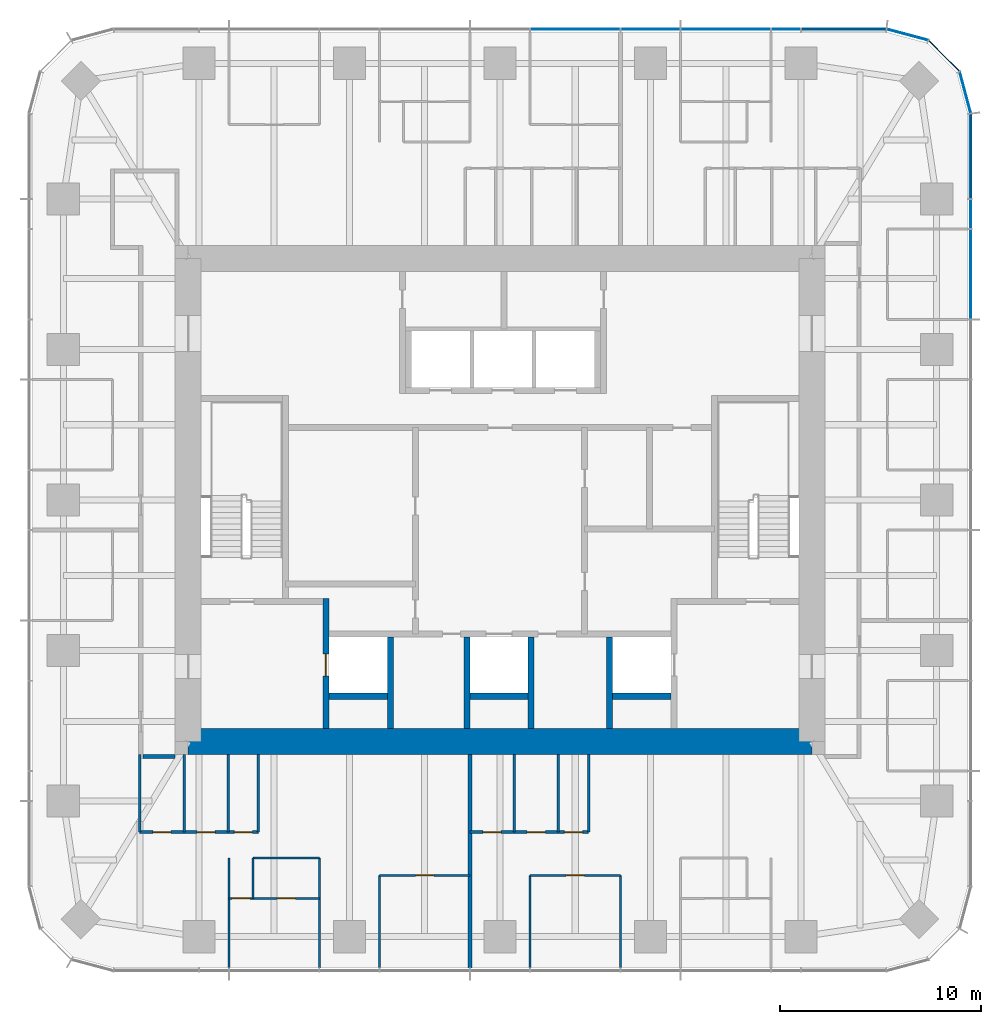
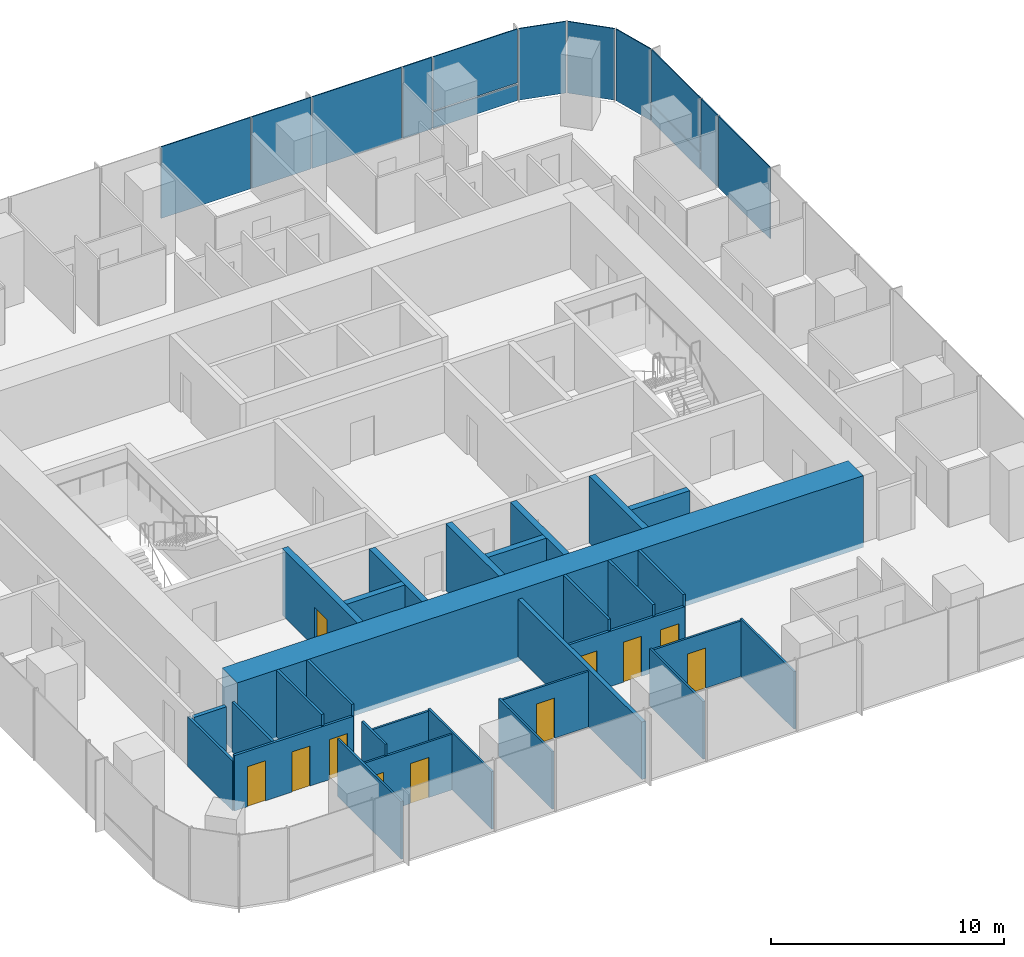
# One storey, part 8 of 12: 30 walls, 13 plates, 11 doors, 11 openings, 3 elements without a shape of their own.
"""IFC4 building model written with IfcOpenShell, lengths in metres."""

from ifc_helpers import new_model, si_unit, direction, frame, frame_2d, origin, origin_2d, place, context, subcontext, project, spatial, rectangle, extrude, material, layer, layer_set, type_object, element, fill, aggregate, save


model = new_model("IFC4")

# Units and contexts
model_context = context("Model", 3, precision=1e-05, world=origin(), true_north=direction((0.0, 1.0)))
body_context = subcontext(model_context, "Body", "Model", "MODEL_VIEW")
ifc_project = project(units=[si_unit("LENGTHUNIT", "METRE"), si_unit("AREAUNIT", "SQUARE_METRE"), si_unit("VOLUMEUNIT", "CUBIC_METRE"), si_unit("PLANEANGLEUNIT", "RADIAN"), si_unit("MASSUNIT", "GRAM", prefix="KILO")], contexts=[model_context])

# Site, building, storey
site_placement = place(None, origin())
site = spatial("IfcSite", under=ifc_project, at=site_placement, CompositionType="ELEMENT")
building_placement = place(site_placement, origin())
building = spatial("IfcBuilding", under=site, at=building_placement, Name="Khuree Lantern Residences", CompositionType="ELEMENT")
storey_placement = place(building_placement, frame((0.0, 0.0, 327.0)))
storey = spatial("IfcBuildingStorey", under=building, at=storey_placement, Name="L82", CompositionType="ELEMENT", Elevation=327.0)

# Curtain wall, plates
ifc_material_1 = material(Name="Bronze anodised aluminium", Category="aluminium")
curtain_wall_type_1 = type_object("IfcCurtainWallType", Name="CW-T2 TOWER CORNER CURTAIN WALL", PredefinedType="USERDEFINED", material=ifc_material_1)
curtain_wall_1_placement = place(storey_placement, origin())
curtain_wall_1 = element("IfcCurtainWall", 1, at=curtain_wall_1_placement, inside=storey, type_object=curtain_wall_type_1, Name="L82 NORTH-EAST CORNER CURTAIN WALL", ObjectType="Faceted corner curtain wall", PredefinedType="USERDEFINED")
ifc_material_2 = material(Name="Bronze tinted triple glazing", Category="glass")
ifc_layer_1 = layer(ifc_material_2, 0.048095703125)
ifc_layer_set_1 = layer_set([ifc_layer_1], Name="FACET PANEL P4")
plate_type_1 = type_object("IfcPlateType", Name="FACET PANEL P4", PredefinedType="CURTAIN_PANEL", material=ifc_layer_set_1)
plate_1_placement = place(storey_placement, frame((23.119140625, 20.248046875, 0.0), z_axis=(0.0, 0.0, 1.0), x_axis=(-0.2588189146, 0.965925861257, 0.0)))
plate_1 = element("IfcPlate", 2, at=plate_1_placement, type_object=plate_type_1, Name="L82 NORTH-EAST CORNER PANEL 15.1", PredefinedType="CURTAIN_PANEL", context=body_context, shape_type="SweptSolid", body=[
    extrude(rectangle(XDim=2.09814453125, YDim=0.048095703125, at=origin_2d()), origin(), (0.0, 0.0, 1.0), 3.75),
])
plate_2_placement = place(storey_placement, frame((22.068603515625, 22.068603515625, 0.0), z_axis=(0.0, 0.0, 1.0), x_axis=(-0.707106781187, 0.707106781187, 0.0)))
plate_2 = element("IfcPlate", 3, at=plate_2_placement, type_object=plate_type_1, Name="L82 NORTH-EAST CORNER PANEL 16.1", PredefinedType="CURTAIN_PANEL", context=body_context, shape_type="SweptSolid", body=[
    extrude(rectangle(XDim=2.093994140625, YDim=0.048095703125, at=origin_2d()), origin(), (0.0, 0.0, 1.0), 3.75),
])
plate_3_placement = place(storey_placement, frame((20.248046875, 23.119140625, 0.0), z_axis=(0.0, 0.0, 1.0), x_axis=(-0.965925861257, 0.2588189146, 0.0)))
plate_3 = element("IfcPlate", 4, at=plate_3_placement, type_object=plate_type_1, Name="L82 NORTH-EAST CORNER PANEL 17.1", PredefinedType="CURTAIN_PANEL", context=body_context, shape_type="SweptSolid", body=[
    extrude(rectangle(XDim=2.09814453125, YDim=0.048095703125, at=origin_2d()), origin(), (0.0, 0.0, 1.0), 3.75),
])
aggregate(curtain_wall_1, [plate_1, plate_2, plate_3])

# Curtain wall, plate
curtain_wall_type_2 = type_object("IfcCurtainWallType", Name="CW-T1 TOWER FACE CURTAIN WALL", PredefinedType="USERDEFINED", material=ifc_material_1)
curtain_wall_2_placement = place(storey_placement, origin())
curtain_wall_2 = element("IfcCurtainWall", 5, at=curtain_wall_2_placement, inside=storey, type_object=curtain_wall_type_2, Name="L82 EAST FACE CURTAIN WALL", ObjectType="Stick-built curtain wall", PredefinedType="USERDEFINED")
ifc_material_3 = material(Name="Bronze tinted triple glazing with a ceramic-fritted spandrel band", Category="glass")
ifc_layer_2 = layer(ifc_material_3, 0.048095703125)
ifc_layer_set_2 = layer_set([ifc_layer_2], Name="FIXED LIGHT PANEL P11")
plate_type_2 = type_object("IfcPlateType", Name="FIXED LIGHT PANEL P11", PredefinedType="CURTAIN_PANEL", material=ifc_layer_set_2)
plate_4_placement = place(storey_placement, frame((23.39990234375, 11.219970703125, 0.0), z_axis=(0.0, 0.0, 1.0), x_axis=(0.0, 1.0, 0.0)))
plate_4 = element("IfcPlate", 6, at=plate_4_placement, type_object=plate_type_2, Name="L82 EAST FACE PANEL 12.1", PredefinedType="CURTAIN_PANEL", context=body_context, shape_type="SweptSolid", body=[
    extrude(rectangle(XDim=4.423095703125, YDim=0.048095703125, at=origin_2d()), origin(), (0.0, 0.0, 1.0), 3.75),
])

# Curtain wall, plates
curtain_wall_3_placement = place(storey_placement, origin())
curtain_wall_3 = element("IfcCurtainWall", 7, at=curtain_wall_3_placement, inside=storey, type_object=curtain_wall_type_2, Name="L82 NORTH FACE CURTAIN WALL", ObjectType="Stick-built curtain wall", PredefinedType="USERDEFINED")
plate_5_placement = place(storey_placement, frame((11.219970703125, 23.39990234375, 0.0), z_axis=(0.0, 0.0, 1.0), x_axis=(-1.0, 0.0, 0.0)))
plate_5 = element("IfcPlate", 8, at=plate_5_placement, type_object=plate_type_2, Name="L82 NORTH FACE PANEL 20.1", PredefinedType="CURTAIN_PANEL", context=body_context, shape_type="SweptSolid", body=[
    extrude(rectangle(XDim=4.423095703125, YDim=0.048095703125, at=origin_2d()), origin(), (0.0, 0.0, 1.0), 3.75),
])
plate_6_placement = place(storey_placement, frame((3.739990234375, 23.39990234375, 0.0), z_axis=(0.0, 0.0, 1.0), x_axis=(-1.0, 0.0, 0.0)))
plate_6 = element("IfcPlate", 9, at=plate_6_placement, type_object=plate_type_2, Name="L82 NORTH FACE PANEL 22.1", PredefinedType="CURTAIN_PANEL", context=body_context, shape_type="SweptSolid", body=[
    extrude(rectangle(XDim=4.423095703125, YDim=0.048095703125, at=origin_2d()), origin(), (0.0, 0.0, 1.0), 3.75),
])
ifc_material_4 = material(Name="Bronze tinted triple glazing, two aluminium-framed sashes in one frame", Category="aluminium")
ifc_layer_3 = layer(ifc_material_4, 0.048095703125)
ifc_layer_set_3 = layer_set([ifc_layer_3], Name="SASH PAIR PANEL P12")
plate_type_3 = type_object("IfcPlateType", Name="SASH PAIR PANEL P12", PredefinedType="CURTAIN_PANEL", material=ifc_layer_set_3)
plate_7_placement = place(storey_placement, frame((7.47998046875, 23.39990234375, 0.0), z_axis=(0.0, 0.0, 1.0), x_axis=(-1.0, 0.0, 0.0)))
plate_7 = element("IfcPlate", 10, at=plate_7_placement, type_object=plate_type_3, Name="L82 NORTH FACE PANEL 21.1", PredefinedType="CURTAIN_PANEL", context=body_context, shape_type="SweptSolid", body=[
    extrude(rectangle(XDim=2.927001953125, YDim=0.048095703125, at=origin_2d()), origin(), (0.0, 0.0, 1.0), 3.75),
])

# Plate
ifc_material_5 = material(Name="Bronze tinted triple glazing, aluminium-framed sash", Category="aluminium")
ifc_layer_4 = layer(ifc_material_5, 0.048095703125)
ifc_layer_set_4 = layer_set([ifc_layer_4], Name="SASH PANEL P3")
plate_type_4 = type_object("IfcPlateType", Name="SASH PANEL P3", PredefinedType="CURTAIN_PANEL", material=ifc_layer_set_4)
plate_8_placement = place(storey_placement, frame((23.39990234375, 14.2119140625, 0.0), z_axis=(0.0, 0.0, 1.0), x_axis=(0.0, 1.0, 0.0)))
plate_8 = element("IfcPlate", 11, at=plate_8_placement, type_object=plate_type_4, Name="L82 EAST FACE PANEL 13.1", PredefinedType="CURTAIN_PANEL", context=body_context, shape_type="SweptSolid", body=[
    extrude(rectangle(XDim=1.430908203125, YDim=0.048095703125, at=origin_2d()), origin(), (0.0, 0.0, 1.0), 3.75),
])

plate_9_placement = place(storey_placement, frame((14.2119140625, 23.39990234375, 0.0), z_axis=(0.0, 0.0, 1.0), x_axis=(-1.0, 0.0, 0.0)))
plate_9 = element("IfcPlate", 12, at=plate_9_placement, type_object=plate_type_4, Name="L82 NORTH FACE PANEL 19.1", PredefinedType="CURTAIN_PANEL", context=body_context, shape_type="SweptSolid", body=[
    extrude(rectangle(XDim=1.430908203125, YDim=0.048095703125, at=origin_2d()), origin(), (0.0, 0.0, 1.0), 3.75),
])

ifc_material_6 = material(Name="Bronze anodised aluminium insulated spandrel", Category="aluminium")
ifc_layer_5 = layer(ifc_material_6, 0.06005859375)
ifc_layer_set_5 = layer_set([ifc_layer_5], Name="SPANDREL PANEL P2")
plate_type_5 = type_object("IfcPlateType", Name="SPANDREL PANEL P2", PredefinedType="CURTAIN_PANEL", material=ifc_layer_set_5)
plate_10_placement = place(storey_placement, frame((23.39990234375, 17.077880859375, 0.0), z_axis=(0.0, 0.0, 1.0), x_axis=(0.0, 1.0, 0.0)))
plate_10 = element("IfcPlate", 13, at=plate_10_placement, type_object=plate_type_5, Name="L82 EAST FACE PANEL 14.1", PredefinedType="CURTAIN_PANEL", context=body_context, shape_type="SweptSolid", body=[
    extrude(rectangle(XDim=4.170654296875, YDim=0.06005859375, at=origin_2d()), origin(), (0.0, 0.0, 1.0), 0.867431640625),
])

plate_11_placement = place(storey_placement, frame((17.077880859375, 23.39990234375, 0.0), z_axis=(0.0, 0.0, 1.0), x_axis=(-1.0, 0.0, 0.0)))
plate_11 = element("IfcPlate", 14, at=plate_11_placement, type_object=plate_type_5, Name="L82 NORTH FACE PANEL 18.1", PredefinedType="CURTAIN_PANEL", context=body_context, shape_type="SweptSolid", body=[
    extrude(rectangle(XDim=4.170654296875, YDim=0.06005859375, at=origin_2d()), origin(), (0.0, 0.0, 1.0), 0.867431640625),
])

ifc_layer_6 = layer(ifc_material_2, 0.048095703125)
ifc_layer_set_6 = layer_set([ifc_layer_6], Name="VISION PANEL P1")
plate_type_6 = type_object("IfcPlateType", Name="VISION PANEL P1", PredefinedType="CURTAIN_PANEL", material=ifc_layer_set_6)
plate_12_placement = place(storey_placement, frame((23.39990234375, 17.078369140625, 0.9326171875), z_axis=(0.0, 0.0, 1.0), x_axis=(0.0, 1.0, 0.0)))
plate_12 = element("IfcPlate", 15, at=plate_12_placement, type_object=plate_type_6, Name="L82 EAST FACE PANEL 14.2", PredefinedType="CURTAIN_PANEL", context=body_context, shape_type="SweptSolid", body=[
    extrude(rectangle(XDim=4.171630859375, YDim=0.048095703125, at=origin_2d()), origin(), (0.0, 0.0, 1.0), 2.8173828125),
])

aggregate(curtain_wall_2, [plate_4, plate_8, plate_10, plate_12])

plate_13_placement = place(storey_placement, frame((17.078369140625, 23.39990234375, 0.9326171875), z_axis=(0.0, 0.0, 1.0), x_axis=(-1.0, 0.0, 0.0)))
plate_13 = element("IfcPlate", 16, at=plate_13_placement, type_object=plate_type_6, Name="L82 NORTH FACE PANEL 18.2", PredefinedType="CURTAIN_PANEL", context=body_context, shape_type="SweptSolid", body=[
    extrude(rectangle(XDim=4.171630859375, YDim=0.048095703125, at=origin_2d()), origin(), (0.0, 0.0, 1.0), 2.8173828125),
])

aggregate(curtain_wall_3, [plate_11, plate_13, plate_9, plate_5, plate_7, plate_6])

# Wall, openings, doors
ifc_material_7 = material(Name="Moisture-resistant gypsum board on steel studs", Category="steel")
ifc_layer_7 = layer(ifc_material_7, 0.125)
ifc_layer_set_7 = layer_set([ifc_layer_7], Name="BATHROOM WALL BTW125")
wall_type_1 = type_object("IfcWallType", Name="BATHROOM WALL BTW125", PredefinedType="PARTITIONING", material=ifc_layer_set_7)
wall_1_placement = place(storey_placement, frame((-17.89990234375, -16.496337890625, 0.0), z_axis=(0.0, 0.0, 1.0), x_axis=(1.0, 0.0, 0.0)))
wall_1 = element("IfcWall", 17, at=wall_1_placement, inside=storey, type_object=wall_type_1, Name="L82 BATHROOM WALL 03", PredefinedType="PARTITIONING", context=body_context, shape_type="SweptSolid", body=[
    extrude(rectangle(XDim=5.89990234375, YDim=0.125, at=frame_2d((2.949951171875, 0.0))), origin(), (0.0, 0.0, 1.0), 2.89990234375),
])
opening_1_placement = place(wall_1_placement, frame((0.64990234375, 0.0, 0.0)))
opening_1 = element("IfcOpeningElement", 18, at=opening_1_placement, cuts=wall_1, Name="Opening 82-047", PredefinedType="OPENING", context=body_context, shape_type="SweptSolid", body=[
    extrude(rectangle(XDim=0.89990234375, YDim=2.10009765625, at=frame_2d((0.449951171875, 1.050048828125))), frame((0.0, 0.072509765625, 0.0), z_axis=(0.0, -1.0, 0.0), x_axis=(1.0, 0.0, 0.0)), (0.0, 0.0, 1.0), 0.14501953125),
])
opening_2_placement = place(wall_1_placement, frame((2.85009765625, 0.0, 0.0)))
opening_2 = element("IfcOpeningElement", 19, at=opening_2_placement, cuts=wall_1, Name="Opening 82-048", PredefinedType="OPENING", context=body_context, shape_type="SweptSolid", body=[
    extrude(rectangle(XDim=0.89990234375, YDim=2.10009765625, at=frame_2d((0.449951171875, 1.050048828125))), frame((0.0, 0.072509765625, 0.0), z_axis=(0.0, -1.0, 0.0), x_axis=(1.0, 0.0, 0.0)), (0.0, 0.0, 1.0), 0.14501953125),
])
opening_3_placement = place(wall_1_placement, frame((4.699951171875, 0.0, 0.0)))
opening_3 = element("IfcOpeningElement", 20, at=opening_3_placement, cuts=wall_1, Name="Opening 82-049", PredefinedType="OPENING", context=body_context, shape_type="SweptSolid", body=[
    extrude(rectangle(XDim=0.89990234375, YDim=2.10009765625, at=frame_2d((0.449951171875, 1.050048828125))), frame((0.0, 0.072509765625, 0.0), z_axis=(0.0, -1.0, 0.0), x_axis=(1.0, 0.0, 0.0)), (0.0, 0.0, 1.0), 0.14501953125),
])
ifc_material_8 = material(Name="Timber door leaf in hardwood frame", Category="wood")
door_type_1 = type_object("IfcDoorType", Name="BATHROOM DOOR 900X2100", OperationType="SINGLE_SWING_LEFT", PredefinedType="DOOR", material=ifc_material_8)
door_1_placement = place(opening_1_placement, origin())
door_1 = element("IfcDoor", 21, at=door_1_placement, inside=storey, type_object=door_type_1, Name="Bathroom door 82-047", OperationType="SINGLE_SWING_LEFT", OverallHeight=2.10009765625, OverallWidth=0.89990234375, PredefinedType="DOOR", context=body_context, shape_type="SweptSolid", body=[
    extrude(rectangle(XDim=0.89990234375, YDim=2.10009765625, at=frame_2d((0.449951171875, 1.050048828125))), frame((0.0, 0.02490234375, 0.0), z_axis=(0.0, -1.0, 0.0), x_axis=(1.0, 0.0, 0.0)), (0.0, 0.0, 1.0), 0.050048828125),
])
fill(opening_1, door_1)
door_2_placement = place(opening_2_placement, origin())
door_2 = element("IfcDoor", 22, at=door_2_placement, inside=storey, type_object=door_type_1, Name="Bathroom door 82-048", OperationType="SINGLE_SWING_LEFT", OverallHeight=2.10009765625, OverallWidth=0.89990234375, PredefinedType="DOOR", context=body_context, shape_type="SweptSolid", body=[
    extrude(rectangle(XDim=0.89990234375, YDim=2.10009765625, at=frame_2d((0.449951171875, 1.050048828125))), frame((0.0, 0.02490234375, 0.0), z_axis=(0.0, -1.0, 0.0), x_axis=(1.0, 0.0, 0.0)), (0.0, 0.0, 1.0), 0.050048828125),
])
fill(opening_2, door_2)
door_type_2 = type_object("IfcDoorType", Name="WC DOOR 900X2100", OperationType="SINGLE_SWING_LEFT", PredefinedType="DOOR", material=ifc_material_8)
door_3_placement = place(opening_3_placement, origin())
door_3 = element("IfcDoor", 23, at=door_3_placement, inside=storey, type_object=door_type_2, Name="WC door 82-049", OperationType="SINGLE_SWING_LEFT", OverallHeight=2.10009765625, OverallWidth=0.89990234375, PredefinedType="DOOR", context=body_context, shape_type="SweptSolid", body=[
    extrude(rectangle(XDim=0.89990234375, YDim=2.10009765625, at=frame_2d((0.449951171875, 1.050048828125))), frame((0.0, 0.02490234375, 0.0), z_axis=(0.0, -1.0, 0.0), x_axis=(1.0, 0.0, 0.0)), (0.0, 0.0, 1.0), 0.050048828125),
])
fill(opening_3, door_3)

# Walls
for number, where, z_axis, x_axis, name in (
    (24, (-17.89990234375, -12.64990234375, 0.0), (0.0, 0.0, 1.0), (0.0, -1.0, 0.0), "L82 BATHROOM WALL 03"),
    (25, (-15.699951171875, -12.64990234375, 0.0), (0.0, 0.0, 1.0), (0.0, -1.0, 0.0), "L82 BATHROOM WALL 03"),
):
    element("IfcWall", number, at=place(storey_placement, frame(where, z_axis=z_axis, x_axis=x_axis)), inside=storey, type_object=wall_type_1, Name=name, PredefinedType="PARTITIONING", context=body_context, shape_type="SweptSolid", body=[
        extrude(rectangle(XDim=3.846435546875, YDim=0.125, at=frame_2d((1.92333984375, 0.0))), origin(), (0.0, 0.0, 1.0), 2.60009765625),
    ])
for number, where, z_axis, x_axis, name in (
    (26, (-13.5, -12.64990234375, 0.0), (0.0, 0.0, 1.0), (0.0, -1.0, 0.0), "L82 BATHROOM WALL 03"),
    (27, (-12.0, -12.64990234375, 0.0), (0.0, 0.0, 1.0), (0.0, -1.0, 0.0), "L82 BATHROOM WALL 03"),
):
    element("IfcWall", number, at=place(storey_placement, frame(where, z_axis=z_axis, x_axis=x_axis)), inside=storey, type_object=wall_type_1, Name=name, PredefinedType="PARTITIONING", context=body_context, shape_type="SweptSolid", body=[
        extrude(rectangle(XDim=3.846435546875, YDim=0.125, at=frame_2d((1.92333984375, 0.0))), origin(), (0.0, 0.0, 1.0), 3.5),
    ])

# Wall, openings, doors
wall_2_placement = place(storey_placement, frame((-1.49609375, -16.496337890625, 0.0), z_axis=(0.0, 0.0, 1.0), x_axis=(1.0, 0.0, 0.0)))
wall_2 = element("IfcWall", 28, at=wall_2_placement, inside=storey, type_object=wall_type_1, Name="L82 BATHROOM WALL 04", PredefinedType="PARTITIONING", context=body_context, shape_type="SweptSolid", body=[
    extrude(rectangle(XDim=5.900146484375, YDim=0.125, at=frame_2d((2.9501953125, 0.0))), origin(), (0.0, 0.0, 1.0), 2.89990234375),
])
opening_4_placement = place(wall_2_placement, frame((0.64990234375, 0.0, 0.0)))
opening_4 = element("IfcOpeningElement", 29, at=opening_4_placement, cuts=wall_2, Name="Opening 82-055", PredefinedType="OPENING", context=body_context, shape_type="SweptSolid", body=[
    extrude(rectangle(XDim=0.89990234375, YDim=2.10009765625, at=frame_2d((0.449951171875, 1.050048828125))), frame((0.0, 0.072509765625, 0.0), z_axis=(0.0, -1.0, 0.0), x_axis=(1.0, 0.0, 0.0)), (0.0, 0.0, 1.0), 0.14501953125),
])
opening_5_placement = place(wall_2_placement, frame((2.85009765625, 0.0, 0.0)))
opening_5 = element("IfcOpeningElement", 30, at=opening_5_placement, cuts=wall_2, Name="Opening 82-056", PredefinedType="OPENING", context=body_context, shape_type="SweptSolid", body=[
    extrude(rectangle(XDim=0.89990234375, YDim=2.10009765625, at=frame_2d((0.449951171875, 1.050048828125))), frame((0.0, 0.072509765625, 0.0), z_axis=(0.0, -1.0, 0.0), x_axis=(1.0, 0.0, 0.0)), (0.0, 0.0, 1.0), 0.14501953125),
])
opening_6_placement = place(wall_2_placement, frame((4.699951171875, 0.0, 0.0)))
opening_6 = element("IfcOpeningElement", 31, at=opening_6_placement, cuts=wall_2, Name="Opening 82-057", PredefinedType="OPENING", context=body_context, shape_type="SweptSolid", body=[
    extrude(rectangle(XDim=0.89990234375, YDim=2.10009765625, at=frame_2d((0.449951171875, 1.050048828125))), frame((0.0, 0.072509765625, 0.0), z_axis=(0.0, -1.0, 0.0), x_axis=(1.0, 0.0, 0.0)), (0.0, 0.0, 1.0), 0.14501953125),
])
door_4_placement = place(opening_4_placement, origin())
door_4 = element("IfcDoor", 32, at=door_4_placement, inside=storey, type_object=door_type_1, Name="Bathroom door 82-055", OperationType="SINGLE_SWING_LEFT", OverallHeight=2.10009765625, OverallWidth=0.89990234375, PredefinedType="DOOR", context=body_context, shape_type="SweptSolid", body=[
    extrude(rectangle(XDim=0.89990234375, YDim=2.10009765625, at=frame_2d((0.449951171875, 1.050048828125))), frame((0.0, 0.02490234375, 0.0), z_axis=(0.0, -1.0, 0.0), x_axis=(1.0, 0.0, 0.0)), (0.0, 0.0, 1.0), 0.050048828125),
])
fill(opening_4, door_4)
door_5_placement = place(opening_5_placement, origin())
door_5 = element("IfcDoor", 33, at=door_5_placement, inside=storey, type_object=door_type_1, Name="Bathroom door 82-056", OperationType="SINGLE_SWING_LEFT", OverallHeight=2.10009765625, OverallWidth=0.89990234375, PredefinedType="DOOR", context=body_context, shape_type="SweptSolid", body=[
    extrude(rectangle(XDim=0.89990234375, YDim=2.10009765625, at=frame_2d((0.449951171875, 1.050048828125))), frame((0.0, 0.02490234375, 0.0), z_axis=(0.0, -1.0, 0.0), x_axis=(1.0, 0.0, 0.0)), (0.0, 0.0, 1.0), 0.050048828125),
])
fill(opening_5, door_5)
door_6_placement = place(opening_6_placement, origin())
door_6 = element("IfcDoor", 34, at=door_6_placement, inside=storey, type_object=door_type_2, Name="WC door 82-057", OperationType="SINGLE_SWING_LEFT", OverallHeight=2.10009765625, OverallWidth=0.89990234375, PredefinedType="DOOR", context=body_context, shape_type="SweptSolid", body=[
    extrude(rectangle(XDim=0.89990234375, YDim=2.10009765625, at=frame_2d((0.449951171875, 1.050048828125))), frame((0.0, 0.02490234375, 0.0), z_axis=(0.0, -1.0, 0.0), x_axis=(1.0, 0.0, 0.0)), (0.0, 0.0, 1.0), 0.050048828125),
])
fill(opening_6, door_6)

# Walls
for number, where, z_axis, x_axis, name in (
    (35, (0.7041015625, -12.64990234375, 0.0), (0.0, 0.0, 1.0), (0.0, -1.0, 0.0), "L82 BATHROOM WALL 04"),
    (36, (2.904052734375, -12.64990234375, 0.0), (0.0, 0.0, 1.0), (0.0, -1.0, 0.0), "L82 BATHROOM WALL 04"),
    (37, (4.404052734375, -12.64990234375, 0.0), (0.0, 0.0, 1.0), (0.0, -1.0, 0.0), "L82 BATHROOM WALL 04"),
):
    element("IfcWall", number, at=place(storey_placement, frame(where, z_axis=z_axis, x_axis=x_axis)), inside=storey, type_object=wall_type_1, Name=name, PredefinedType="PARTITIONING", context=body_context, shape_type="SweptSolid", body=[
        extrude(rectangle(XDim=3.846435546875, YDim=0.125, at=frame_2d((1.92333984375, 0.0))), origin(), (0.0, 0.0, 1.0), 3.5),
    ])

# Wall, opening, door
ifc_material_9 = material(Name="Dense concrete blockwork", Category="masonry")
ifc_layer_8 = layer(ifc_material_9, 0.300048828125)
ifc_layer_set_8 = layer_set([ifc_layer_8], Name="CORE PARTITION WALL CPW300 EI 120")
wall_type_2 = type_object("IfcWallType", Name="CORE PARTITION WALL CPW300 EI 120", PredefinedType="PARTITIONING", material=ifc_layer_set_8)
wall_3_placement = place(storey_placement, frame((-8.64990234375, -11.35009765625, 0.0), z_axis=(0.0, 0.0, 1.0), x_axis=(0.0, 1.0, 0.0)))
wall_3 = element("IfcWall", 38, at=wall_3_placement, inside=storey, type_object=wall_type_2, Name="L82 CORE WALL FL1W", PredefinedType="PARTITIONING", context=body_context, shape_type="SweptSolid", body=[
    extrude(rectangle(XDim=6.4501953125, YDim=0.300048828125, at=frame_2d((3.22509765625, 0.0))), origin(), (0.0, 0.0, 1.0), 3.5),
])
opening_7_placement = place(wall_3_placement, frame((2.60009765625, 0.0, 0.0)))
opening_7 = element("IfcOpeningElement", 39, at=opening_7_placement, cuts=wall_3, Name="Opening 82-007", PredefinedType="OPENING", context=body_context, shape_type="SweptSolid", body=[
    extrude(rectangle(XDim=1.10009765625, YDim=2.10009765625, at=frame_2d((0.550048828125, 1.050048828125))), frame((0.0, 0.16015625, 0.0), z_axis=(0.0, -1.0, 0.0), x_axis=(1.0, 0.0, 0.0)), (0.0, 0.0, 1.0), 0.320068359375),
])
ifc_material_10 = material(Name="Stainless steel lift landing door", Category="steel")
door_type_3 = type_object("IfcDoorType", Name="LIFT LANDING DOOR 1100X2100 E 120", OperationType="DOUBLE_DOOR_SLIDING", PredefinedType="DOOR", material=ifc_material_10)
door_7_placement = place(opening_7_placement, origin())
door_7 = element("IfcDoor", 40, at=door_7_placement, inside=storey, type_object=door_type_3, Name="Landing door FL1 82-007", OperationType="DOUBLE_DOOR_SLIDING", OverallHeight=2.10009765625, OverallWidth=1.10009765625, PredefinedType="DOOR", context=body_context, shape_type="SweptSolid", body=[
    extrude(rectangle(XDim=1.10009765625, YDim=2.10009765625, at=frame_2d((0.550048828125, 1.050048828125))), frame((0.0, 0.02490234375, 0.0), z_axis=(0.0, -1.0, 0.0), x_axis=(1.0, 0.0, 0.0)), (0.0, 0.0, 1.0), 0.050048828125),
])
fill(opening_7, door_7)

# Walls
for number, where, z_axis, x_axis, name in (
    (41, (-5.449951171875, -11.35009765625, 0.0), (0.0, 0.0, 1.0), (0.0, 1.0, 0.0), "L82 CORE WALL FL1E"),
    (42, (-1.64990234375, -11.35009765625, 0.0), (0.0, 0.0, 1.0), (0.0, 1.0, 0.0), "L82 CORE WALL SL1W"),
    (43, (1.550048828125, -11.35009765625, 0.0), (0.0, 0.0, 1.0), (0.0, 1.0, 0.0), "L82 CORE WALL SL1E"),
    (44, (5.449951171875, -11.35009765625, 0.0), (0.0, 0.0, 1.0), (0.0, 1.0, 0.0), "L82 CORE WALL FL2W"),
):
    element("IfcWall", number, at=place(storey_placement, frame(where, z_axis=z_axis, x_axis=x_axis)), inside=storey, type_object=wall_type_2, Name=name, PredefinedType="PARTITIONING", context=body_context, shape_type="SweptSolid", body=[
        extrude(rectangle(XDim=4.550048828125, YDim=0.300048828125, at=frame_2d((2.27490234375, 0.0))), origin(), (0.0, 0.0, 1.0), 3.5),
    ])
for number, where, z_axis, x_axis, name in (
    (45, (-8.5, -9.75, 0.0), (0.0, 0.0, 1.0), (1.0, 0.0, 0.0), "L82 CORE WALL FL1S"),
    (46, (-1.5, -9.75, 0.0), (0.0, 0.0, 1.0), (1.0, 0.0, 0.0), "L82 CORE WALL SL1S"),
    (47, (5.60009765625, -9.75, 0.0), (0.0, 0.0, 1.0), (1.0, 0.0, 0.0), "L82 CORE WALL FL2S"),
):
    element("IfcWall", number, at=place(storey_placement, frame(where, z_axis=z_axis, x_axis=x_axis)), inside=storey, type_object=wall_type_2, Name=name, PredefinedType="PARTITIONING", context=body_context, shape_type="SweptSolid", body=[
        extrude(rectangle(XDim=2.89990234375, YDim=0.300048828125, at=frame_2d((1.449951171875, 0.0))), origin(), (0.0, 0.0, 1.0), 3.5),
    ])
ifc_material_11 = material(Name="Gypsum board on steel studs", Category="steel")
ifc_layer_9 = layer(ifc_material_11, 0.199951171875)
ifc_layer_set_9 = layer_set([ifc_layer_9], Name="CORRIDOR WALL CRW200 EI 60")
wall_type_3 = type_object("IfcWallType", Name="CORRIDOR WALL CRW200 EI 60", PredefinedType="PARTITIONING", material=ifc_layer_set_9)
wall_4_placement = place(storey_placement, frame((-16.14990234375, -12.75, 0.0), z_axis=(0.0, 0.0, 1.0), x_axis=(-1.0, 0.0, 0.0)))
element("IfcWall", 48, at=wall_4_placement, inside=storey, type_object=wall_type_3, Name="L82 WEST CORRIDOR SOUTH END WALL", PredefinedType="PARTITIONING", context=body_context, shape_type="SweptSolid", body=[
    extrude(rectangle(XDim=1.60009765625, YDim=0.199951171875, at=frame_2d((0.800048828125, 0.0))), origin(), (0.0, 0.0, 1.0), 2.60009765625),
])
ifc_material_12 = material(Name="Concrete C50/60", Category="concrete")
ifc_layer_10 = layer(ifc_material_12, 1.300048828125)
ifc_layer_set_10 = layer_set([ifc_layer_10], Name="CW1300-C50 CORE WALL C50 1300")
wall_type_4 = type_object("IfcWallType", Name="CW1300-C50 CORE WALL C50 1300", PredefinedType="SHEAR", material=ifc_layer_set_10)
wall_5_placement = place(storey_placement, frame((-15.5, -12.0, -0.25), z_axis=(0.0, 0.0, 1.0), x_axis=(1.0, 0.0, 0.0)))
element("IfcWall", 49, at=wall_5_placement, inside=storey, type_object=wall_type_4, Name="Core wall S", PredefinedType="SHEAR", context=body_context, shape_type="SweptSolid", body=[
    extrude(rectangle(XDim=31.0, YDim=1.300048828125, at=frame_2d((15.5, 0.0))), origin(), (0.0, 0.0, 1.0), 3.75),
])
ifc_layer_11 = layer(ifc_material_11, 0.199951171875)
ifc_layer_set_11 = layer_set([ifc_layer_11], Name="DEMISING WALL DMW200 EI 90")
wall_type_5 = type_object("IfcWallType", Name="DEMISING WALL DMW200 EI 90", PredefinedType="PARTITIONING", material=ifc_layer_set_11)
wall_6_placement = place(storey_placement, frame((-1.49609375, -12.64990234375, 0.0), z_axis=(0.0, 0.0, 1.0), x_axis=(0.0, -1.0, 0.0)))
element("IfcWall", 50, at=wall_6_placement, inside=storey, type_object=wall_type_5, Name="L82 DEMISING WALL 04", PredefinedType="PARTITIONING", context=body_context, shape_type="SweptSolid", body=[
    extrude(rectangle(XDim=10.60009765625, YDim=0.199951171875, at=frame_2d((5.300048828125, 0.0))), origin(), (0.0, 0.0, 1.0), 3.010009765625),
])
ifc_layer_12 = layer(ifc_material_11, 0.10009765625)
ifc_layer_set_12 = layer_set([ifc_layer_12], Name="PARTITION PT100")
wall_type_6 = type_object("IfcWallType", Name="PARTITION PT100", PredefinedType="PARTITIONING", material=ifc_layer_set_12)
for number, where, z_axis, x_axis, name in (
    (51, (-13.464111328125, -17.79638671875, 0.0), (0.0, 0.0, 1.0), (0.0, -1.0, 0.0), "L82 PARTITION 03"),
    (52, (-8.97607421875, -17.79638671875, 0.0), (0.0, 0.0, 1.0), (0.0, -1.0, 0.0), "L82 PARTITION 03"),
):
    element("IfcWall", number, at=place(storey_placement, frame(where, z_axis=z_axis, x_axis=x_axis)), inside=storey, type_object=wall_type_6, Name=name, PredefinedType="PARTITIONING", context=body_context, shape_type="SweptSolid", body=[
        extrude(rectangle(XDim=5.45361328125, YDim=0.10009765625, at=frame_2d((2.726806640625, 0.0))), origin(), (0.0, 0.0, 1.0), 3.010009765625),
    ])
for number, where, z_axis, x_axis, name in (
    (53, (-5.98388671875, -18.64990234375, 0.0), (0.0, 0.0, 1.0), (0.0, -1.0, 0.0), "L82 PARTITION 03"),
    (54, (1.49609375, -18.64990234375, 0.0), (0.0, 0.0, 1.0), (0.0, -1.0, 0.0), "L82 PARTITION 04"),
    (55, (5.98388671875, -18.64990234375, 0.0), (0.0, 0.0, 1.0), (0.0, -1.0, 0.0), "L82 PARTITION 04"),
):
    element("IfcWall", number, at=place(storey_placement, frame(where, z_axis=z_axis, x_axis=x_axis)), inside=storey, type_object=wall_type_6, Name=name, PredefinedType="PARTITIONING", context=body_context, shape_type="SweptSolid", body=[
        extrude(rectangle(XDim=4.60009765625, YDim=0.10009765625, at=frame_2d((2.300048828125, 0.0))), origin(), (0.0, 0.0, 1.0), 3.010009765625),
    ])

# Wall, openings, doors
wall_7_placement = place(storey_placement, frame((-13.464111328125, -19.79638671875, 0.0), z_axis=(0.0, 0.0, 1.0), x_axis=(1.0, 0.0, 0.0)))
wall_7 = element("IfcWall", 56, at=wall_7_placement, inside=storey, type_object=wall_type_6, Name="L82 PARTITION 03", PredefinedType="PARTITIONING", context=body_context, shape_type="SweptSolid", body=[
    extrude(rectangle(XDim=4.488037109375, YDim=0.10009765625, at=frame_2d((2.244140625, 0.0))), origin(), (0.0, 0.0, 1.0), 2.909912109375),
])
opening_8_placement = place(wall_7_placement, frame((0.14990234375, 0.0, 0.0)))
opening_8 = element("IfcOpeningElement", 57, at=opening_8_placement, cuts=wall_7, Name="Opening 82-044", PredefinedType="OPENING", context=body_context, shape_type="SweptSolid", body=[
    extrude(rectangle(XDim=0.89990234375, YDim=2.10009765625, at=frame_2d((0.449951171875, 1.050048828125))), frame((0.0, 0.06005859375, 0.0), z_axis=(0.0, -1.0, 0.0), x_axis=(1.0, 0.0, 0.0)), (0.0, 0.0, 1.0), 0.1201171875),
])
opening_9_placement = place(wall_7_placement, frame((2.39404296875, 0.0, 0.0)))
opening_9 = element("IfcOpeningElement", 58, at=opening_9_placement, cuts=wall_7, Name="Opening 82-045", PredefinedType="OPENING", context=body_context, shape_type="SweptSolid", body=[
    extrude(rectangle(XDim=0.89990234375, YDim=2.10009765625, at=frame_2d((0.449951171875, 1.050048828125))), frame((0.0, 0.06005859375, 0.0), z_axis=(0.0, -1.0, 0.0), x_axis=(1.0, 0.0, 0.0)), (0.0, 0.0, 1.0), 0.1201171875),
])
door_type_4 = type_object("IfcDoorType", Name="BEDROOM DOOR 900X2100", OperationType="SINGLE_SWING_LEFT", PredefinedType="DOOR", material=ifc_material_8)
door_8_placement = place(opening_8_placement, origin())
door_8 = element("IfcDoor", 59, at=door_8_placement, inside=storey, type_object=door_type_4, Name="Bedroom door 82-044", OperationType="SINGLE_SWING_LEFT", OverallHeight=2.10009765625, OverallWidth=0.89990234375, PredefinedType="DOOR", context=body_context, shape_type="SweptSolid", body=[
    extrude(rectangle(XDim=0.89990234375, YDim=2.10009765625, at=frame_2d((0.449951171875, 1.050048828125))), frame((0.0, 0.02490234375, 0.0), z_axis=(0.0, -1.0, 0.0), x_axis=(1.0, 0.0, 0.0)), (0.0, 0.0, 1.0), 0.050048828125),
])
fill(opening_8, door_8)
door_type_5 = type_object("IfcDoorType", Name="DOOR 900X2100", OperationType="SINGLE_SWING_LEFT", PredefinedType="DOOR", material=ifc_material_8)
door_9_placement = place(opening_9_placement, origin())
door_9 = element("IfcDoor", 60, at=door_9_placement, inside=storey, type_object=door_type_5, Name="Wardrobe door 82-045", OperationType="SINGLE_SWING_LEFT", OverallHeight=2.10009765625, OverallWidth=0.89990234375, PredefinedType="DOOR", context=body_context, shape_type="SweptSolid", body=[
    extrude(rectangle(XDim=0.89990234375, YDim=2.10009765625, at=frame_2d((0.449951171875, 1.050048828125))), frame((0.0, 0.02490234375, 0.0), z_axis=(0.0, -1.0, 0.0), x_axis=(1.0, 0.0, 0.0)), (0.0, 0.0, 1.0), 0.050048828125),
])
fill(opening_9, door_9)

# Walls
wall_8_placement = place(storey_placement, frame((-12.263916015625, -17.79638671875, 0.0), z_axis=(0.0, 0.0, 1.0), x_axis=(0.0, -1.0, 0.0)))
element("IfcWall", 61, at=wall_8_placement, inside=storey, type_object=wall_type_6, Name="L82 PARTITION 03", PredefinedType="PARTITIONING", context=body_context, shape_type="SweptSolid", body=[
    extrude(rectangle(XDim=2.0, YDim=0.10009765625, at=frame_2d((1.0, 0.0))), origin(), (0.0, 0.0, 1.0), 3.5),
])
wall_9_placement = place(storey_placement, frame((-12.263916015625, -17.79638671875, 0.0), z_axis=(0.0, 0.0, 1.0), x_axis=(1.0, 0.0, 0.0)))
element("IfcWall", 62, at=wall_9_placement, inside=storey, type_object=wall_type_6, Name="L82 PARTITION 03", PredefinedType="PARTITIONING", context=body_context, shape_type="SweptSolid", body=[
    extrude(rectangle(XDim=3.287841796875, YDim=0.10009765625, at=frame_2d((1.64404296875, 0.0))), origin(), (0.0, 0.0, 1.0), 2.909912109375),
])

# Wall, opening, door
wall_10_placement = place(storey_placement, frame((-5.98388671875, -18.64990234375, 0.0), z_axis=(0.0, 0.0, 1.0), x_axis=(1.0, 0.0, 0.0)))
wall_10 = element("IfcWall", 63, at=wall_10_placement, inside=storey, type_object=wall_type_6, Name="L82 PARTITION 03", PredefinedType="PARTITIONING", context=body_context, shape_type="SweptSolid", body=[
    extrude(rectangle(XDim=4.48779296875, YDim=0.10009765625, at=frame_2d((2.243896484375, 0.0))), origin(), (0.0, 0.0, 1.0), 2.909912109375),
])
opening_10_placement = place(wall_10_placement, frame((1.7939453125, 0.0, 0.0)))
opening_10 = element("IfcOpeningElement", 64, at=opening_10_placement, cuts=wall_10, Name="Opening 82-046", PredefinedType="OPENING", context=body_context, shape_type="SweptSolid", body=[
    extrude(rectangle(XDim=0.89990234375, YDim=2.10009765625, at=frame_2d((0.449951171875, 1.050048828125))), frame((0.0, 0.06005859375, 0.0), z_axis=(0.0, -1.0, 0.0), x_axis=(1.0, 0.0, 0.0)), (0.0, 0.0, 1.0), 0.1201171875),
])
door_type_6 = type_object("IfcDoorType", Name="BEDROOM DOOR 900X2100 RIGHT HAND", OperationType="SINGLE_SWING_RIGHT", PredefinedType="DOOR", material=ifc_material_8)
door_10_placement = place(opening_10_placement, origin())
door_10 = element("IfcDoor", 65, at=door_10_placement, inside=storey, type_object=door_type_6, Name="Bedroom door 82-046", OperationType="SINGLE_SWING_RIGHT", OverallHeight=2.10009765625, OverallWidth=0.89990234375, PredefinedType="DOOR", context=body_context, shape_type="SweptSolid", body=[
    extrude(rectangle(XDim=0.89990234375, YDim=2.10009765625, at=frame_2d((0.449951171875, 1.050048828125))), frame((0.0, 0.02490234375, 0.0), z_axis=(0.0, -1.0, 0.0), x_axis=(1.0, 0.0, 0.0)), (0.0, 0.0, 1.0), 0.050048828125),
])
fill(opening_10, door_10)

wall_11_placement = place(storey_placement, frame((1.49609375, -18.64990234375, 0.0), z_axis=(0.0, 0.0, 1.0), x_axis=(1.0, 0.0, 0.0)))
wall_11 = element("IfcWall", 66, at=wall_11_placement, inside=storey, type_object=wall_type_6, Name="L82 PARTITION 04", PredefinedType="PARTITIONING", context=body_context, shape_type="SweptSolid", body=[
    extrude(rectangle(XDim=4.48779296875, YDim=0.10009765625, at=frame_2d((2.243896484375, 0.0))), origin(), (0.0, 0.0, 1.0), 2.909912109375),
])
opening_11_placement = place(wall_11_placement, frame((1.7939453125, 0.0, 0.0)))
opening_11 = element("IfcOpeningElement", 67, at=opening_11_placement, cuts=wall_11, Name="Opening 82-051", PredefinedType="OPENING", context=body_context, shape_type="SweptSolid", body=[
    extrude(rectangle(XDim=0.89990234375, YDim=2.10009765625, at=frame_2d((0.449951171875, 1.050048828125))), frame((0.0, 0.06005859375, 0.0), z_axis=(0.0, -1.0, 0.0), x_axis=(1.0, 0.0, 0.0)), (0.0, 0.0, 1.0), 0.1201171875),
])
door_11_placement = place(opening_11_placement, origin())
door_11 = element("IfcDoor", 68, at=door_11_placement, inside=storey, type_object=door_type_4, Name="Bedroom door 82-051", OperationType="SINGLE_SWING_LEFT", OverallHeight=2.10009765625, OverallWidth=0.89990234375, PredefinedType="DOOR", context=body_context, shape_type="SweptSolid", body=[
    extrude(rectangle(XDim=0.89990234375, YDim=2.10009765625, at=frame_2d((0.449951171875, 1.050048828125))), frame((0.0, 0.02490234375, 0.0), z_axis=(0.0, -1.0, 0.0), x_axis=(1.0, 0.0, 0.0)), (0.0, 0.0, 1.0), 0.050048828125),
])
fill(opening_11, door_11)

save(model, "model.ifc")
